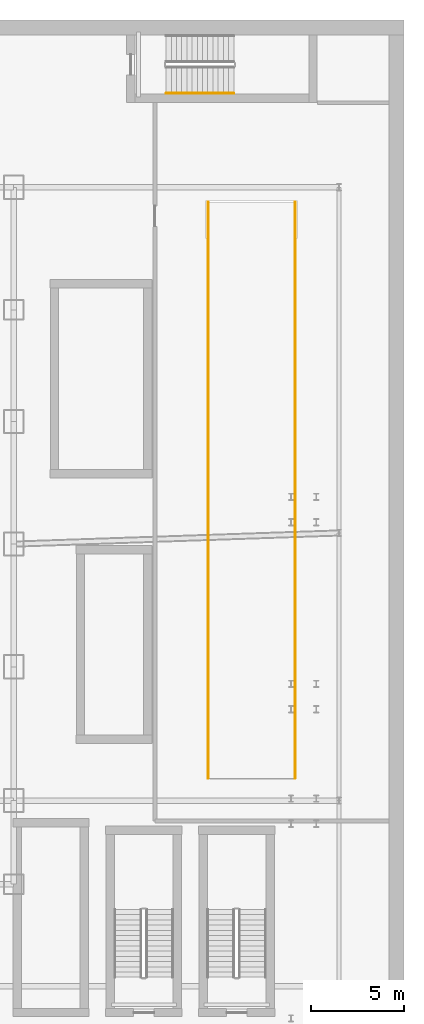
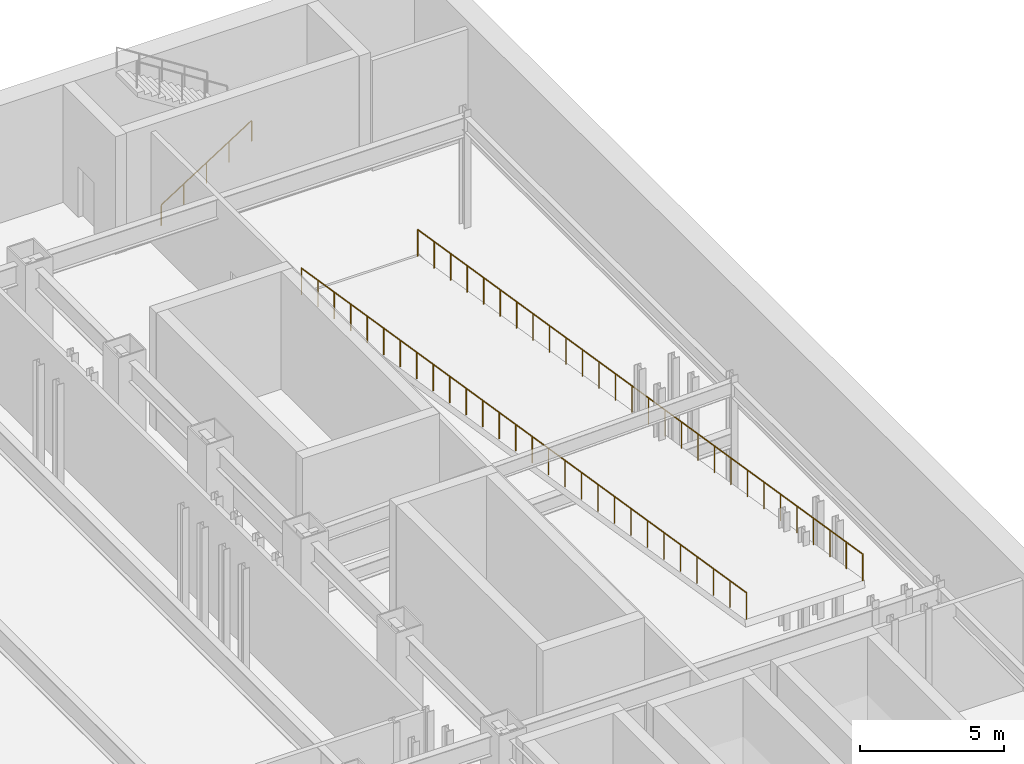
# One storey, part 15 of 16: 3 railings.
"""IFC4 building model written with IfcOpenShell, lengths in metres."""

import ifcopenshell
import ifcopenshell.guid

model = None  # the IFC model being written
_history = None  # IfcOwnerHistory: only IFC2X3 demands one
_inside = {}  # id of a spatial element -> (the spatial element, [elements in it])
_under = {}  # id of a project, library or spatial element -> (it, [spatial elements below it])
_declared = {}  # id of a project -> (the project, [libraries it declares])
_typed = {}  # id of a type object -> (the type object, [elements of that type])
_made_of = {}  # id of a material, layer set ... -> (it, [elements and type objects made of it])


def new_model(schema):
    """Start an empty IFC model of exactly this schema.

    Asked for "IFC4X3", IfcOpenShell would pick the latest addendum, in which some entities
    have other attributes; the version numbers below select the first issue.
    IFC2X3 requires an IfcOwnerHistory on every rooted entity: one is made here for all.
    """
    global model, _history
    if schema == "IFC4X3":
        model = ifcopenshell.file(schema_version=(4, 3, 0, 0))
    else:
        model = ifcopenshell.file(schema=schema)
    _inside.clear()
    _under.clear()
    _declared.clear()
    _typed.clear()
    _made_of.clear()
    _history = None
    if model.schema == "IFC2X3":
        org = make("IfcOrganization", Name="unknown")
        user = make(
            "IfcPersonAndOrganization",
            ThePerson=make("IfcPerson", FamilyName="unknown"),
            TheOrganization=org,
        )
        app = make(
            "IfcApplication",
            ApplicationDeveloper=org,
            Version="unknown",
            ApplicationFullName="unknown",
            ApplicationIdentifier="unknown",
        )
        _history = make(
            "IfcOwnerHistory",
            OwningUser=user,
            OwningApplication=app,
            ChangeAction="ADDED",
            CreationDate=0,
        )
    return model


def make(cls, **values):
    """One entity of the class cls with the attributes given. An attribute that is None is left unset."""
    return model.create_entity(
        cls, **{name: value for name, value in values.items() if value is not None}
    )


def rooted(cls, **values):
    """An entity with a GlobalId (a new one), such as an element, a storey or a relation."""
    return make(cls, GlobalId=ifcopenshell.guid.new(), OwnerHistory=_history, **values)


def si_unit(unit_type, name, prefix=None):
    """IfcSIUnit, for example si_unit("LENGTHUNIT", "METRE", prefix="MILLI")."""
    return make("IfcSIUnit", UnitType=unit_type, Prefix=prefix, Name=name)


def derived_unit(unit_type, elements):
    """IfcDerivedUnit: a product of units, each with its exponent."""
    return make(
        "IfcDerivedUnit",
        Elements=[
            make("IfcDerivedUnitElement", Unit=unit, Exponent=power)
            for unit, power in elements
        ],
        UnitType=unit_type,
    )


def assignment(units):
    """IfcUnitAssignment: the units of a project."""
    return None if units is None else make("IfcUnitAssignment", Units=units)


def point(xyz):
    """IfcCartesianPoint."""
    return None if xyz is None else make("IfcCartesianPoint", Coordinates=xyz)


def direction(xyz):
    """IfcDirection."""
    return None if xyz is None else make("IfcDirection", DirectionRatios=xyz)


def frame(location, z_axis=None, x_axis=None):
    """IfcAxis2Placement3D, a coordinate frame: its origin and axes. An axis left out is left unset."""
    return make(
        "IfcAxis2Placement3D",
        Location=point(location),
        Axis=direction(z_axis),
        RefDirection=direction(x_axis),
    )


def frame_2d(location, x_axis=None):
    """IfcAxis2Placement2D, a coordinate frame in the plane: its origin and x axis."""
    return make(
        "IfcAxis2Placement2D", Location=point(location), RefDirection=direction(x_axis)
    )


def origin():
    """The frame at (0, 0, 0) with its axes left unset."""
    return frame((0.0, 0.0, 0.0))


def origin_2d():
    """The frame at (0, 0) in the plane with its x axis left unset."""
    return frame_2d((0.0, 0.0))


def place(relative_to, where):
    """IfcLocalPlacement: puts the frame where relative to a parent placement (None: the world)."""
    return make(
        "IfcLocalPlacement", PlacementRelTo=relative_to, RelativePlacement=where
    )


def context(
    kind, dimensions, precision=None, world=None, true_north=None, identifier=None
):
    """IfcGeometricRepresentationContext, for example the 3D "Model" context."""
    return make(
        "IfcGeometricRepresentationContext",
        ContextIdentifier=identifier,
        ContextType=kind,
        CoordinateSpaceDimension=dimensions,
        Precision=precision,
        WorldCoordinateSystem=world,
        TrueNorth=true_north,
    )


def subcontext(parent, identifier, kind, view, scale=None):
    """IfcGeometricRepresentationSubContext, for example "Body" below "Model"."""
    return make(
        "IfcGeometricRepresentationSubContext",
        ContextIdentifier=identifier,
        ContextType=kind,
        ParentContext=parent,
        TargetScale=scale,
        TargetView=view,
    )


def project(units=None, contexts=None):
    """IfcProject with its units and contexts."""
    return rooted(
        "IfcProject",
        Name="project",
        RepresentationContexts=contexts,
        UnitsInContext=assignment(units),
    )


def spatial(cls, under=None, at=None, **own):
    """A site, building, storey or space (cls), placed at a placement, below another one or the project."""
    s = rooted(cls, ObjectPlacement=at, **own)
    if under is not None:
        _under.setdefault(under.id(), (under, []))[1].append(s)
    return s


def profile(cls, at=None, kind="AREA", **sizes):
    """A parametric profile (cls). Its sizes go by their IFC names, for example OverallWidth=200.0."""
    return make(cls, ProfileType=kind, Position=at, **sizes)


def circle(**sizes):
    """IfcCircleProfileDef."""
    return profile("IfcCircleProfileDef", **sizes)


def extrude(swept, where, along, depth):
    """IfcExtrudedAreaSolid: the profile swept, set in the frame where, extruded along a direction by depth."""
    return make(
        "IfcExtrudedAreaSolid",
        SweptArea=swept,
        Position=where,
        ExtrudedDirection=direction(along),
        Depth=depth,
    )


def shape(context_of_items, identifier, shape_type, items):
    """IfcShapeRepresentation: the items that make up one representation, for example the "Body"."""
    return make(
        "IfcShapeRepresentation",
        ContextOfItems=context_of_items,
        RepresentationIdentifier=identifier,
        RepresentationType=shape_type,
        Items=items,
    )


def material(Name=None, Category=None):
    """IfcMaterial."""
    return make("IfcMaterial", Name=Name, Category=Category)


def made_of(thing, what):
    """Note that an element or type object is made of a material, layer set ...; save() writes the relation."""
    if what is not None:
        _made_of.setdefault(what.id(), (what, []))[1].append(thing)
    return thing


def type_object(cls, material=None, **own):
    """A type object (cls), such as IfcWallType, which elements share."""
    return made_of(rooted(cls, **own), material)


def element(
    cls,
    number,
    at=None,
    inside=None,
    cuts=None,
    type_object=None,
    material=None,
    context=None,
    identifier="Body",
    shape_type=None,
    held_by="IfcProductDefinitionShape",
    body=None,
    shapes=None,
    **own,
):
    """One element of the class cls, such as IfcWall. Its Tag is "e" and its number.

    at: its placement. inside: the storey or other place that contains it. cuts: it is an
    opening in that element (IfcRelVoidsElement). A single representation is given by context,
    identifier, shape_type and body (its items); several are given by shapes. held_by: the class
    of the entity that holds the representations. save() writes the other relations.
    """
    e = rooted(cls, Tag="e%d" % number, ObjectPlacement=at, **own)
    if body is not None:
        shapes = [shape(context, identifier, shape_type, body)]
    if shapes is not None:
        e.Representation = make(held_by, Representations=shapes)
    if inside is not None:
        _inside.setdefault(inside.id(), (inside, []))[1].append(e)
    if cuts is not None:
        rooted(
            "IfcRelVoidsElement", RelatingBuildingElement=cuts, RelatedOpeningElement=e
        )
    if type_object is not None:
        _typed.setdefault(type_object.id(), (type_object, []))[1].append(e)
    return made_of(e, material)


def aggregate(whole, parts):
    """IfcRelAggregates: a whole, such as a stair, and the parts it consists of."""
    return rooted("IfcRelAggregates", RelatingObject=whole, RelatedObjects=parts)


def save(model, path):
    """Write the relations noted so far, then the file.

    IfcRelAggregates (storeys below a building ...), IfcRelContainedInSpatialStructure (elements
    in a storey), IfcRelDefinesByType, IfcRelAssociatesMaterial and IfcRelDeclares: one each for
    every whole, place, type object, material and project.
    """
    for whole, parts in _under.values():
        aggregate(whole, parts)
    for where, things in _inside.values():
        rooted(
            "IfcRelContainedInSpatialStructure",
            RelatedElements=things,
            RelatingStructure=where,
        )
    for kind, things in _typed.values():
        rooted("IfcRelDefinesByType", RelatedObjects=things, RelatingType=kind)
    for what, things in _made_of.values():
        rooted("IfcRelAssociatesMaterial", RelatedObjects=things, RelatingMaterial=what)
    for by, libraries in _declared.values():
        rooted("IfcRelDeclares", RelatingContext=by, RelatedDefinitions=libraries)
    model.write(path)


model = new_model("IFC4")

# Units and contexts
model_context = context("Model", 3, precision=1e-05, world=origin(), true_north=direction((0.0, 1.0)))
body_context = subcontext(model_context, "Body", "Model", "MODEL_VIEW")
ifc_project = project(units=[si_unit("LENGTHUNIT", "METRE"), si_unit("AREAUNIT", "SQUARE_METRE"), si_unit("VOLUMEUNIT", "CUBIC_METRE"), si_unit("PLANEANGLEUNIT", "RADIAN"), si_unit("MASSUNIT", "GRAM", prefix="KILO"), derived_unit("THERMALTRANSMITTANCEUNIT", [(si_unit("POWERUNIT", "WATT"), 1), (si_unit("LENGTHUNIT", "METRE"), -2), (si_unit("THERMODYNAMICTEMPERATUREUNIT", "KELVIN"), -1)])], contexts=[model_context])

# Site, building, storey
site_placement = place(None, origin())
site = spatial("IfcSite", under=ifc_project, at=site_placement, CompositionType="ELEMENT")
building_placement = place(site_placement, origin())
building = spatial("IfcBuilding", under=site, at=building_placement, Name="Skarnbrae Concourse Arena and Tower", CompositionType="ELEMENT")
storey_placement = place(building_placement, frame((0.0, 0.0, -5.0)))
storey = spatial("IfcBuildingStorey", under=building, at=storey_placement, Name="B01", CompositionType="ELEMENT", Elevation=-5.0)

# Railings
ifc_material = material(Name="Steel CSA G40.21 350W", Category="steel")
railing_type_1 = type_object("IfcRailingType", Name="RAIL-GUARD-1150", PredefinedType="GUARDRAIL", material=ifc_material)
railing_1_placement = place(storey_placement, frame((71.4599609375, 46.199951171875, 0.0)))
element("IfcRailing", 1, at=railing_1_placement, inside=storey, type_object=railing_type_1, Name="B01 Vehicle ramp sloped side guardrail W", PredefinedType="GUARDRAIL", context=body_context, shape_type="SweptSolid", body=[
    extrude(circle(Radius=0.02392578125, at=origin_2d()), frame((0.0, 0.0, 1.1259765625), z_axis=(0.0, -0.987241120713, 0.159232438825), x_axis=(1.0, 0.0, 0.0)), (0.0, 0.0, 1.0), 31.400634765625),
    extrude(circle(Radius=0.02099609375, at=origin_2d()), origin(), (0.0, 0.0, 1.0), 1.101806640625),
    extrude(circle(Radius=0.02099609375, at=origin_2d()), frame((0.0, -1.148193359375, 0.185302734375)), (0.0, 0.0, 1.0), 1.101806640625),
    extrude(circle(Radius=0.02099609375, at=origin_2d()), frame((0.0, -2.29638671875, 0.370361328125)), (0.0, 0.0, 1.0), 1.101806640625),
    extrude(circle(Radius=0.02099609375, at=origin_2d()), frame((0.0, -3.4443359375, 0.5556640625)), (0.0, 0.0, 1.0), 1.101806640625),
    extrude(circle(Radius=0.02099609375, at=origin_2d()), frame((0.0, -4.592529296875, 0.74072265625)), (0.0, 0.0, 1.0), 1.101806640625),
    extrude(circle(Radius=0.02099609375, at=origin_2d()), frame((0.0, -5.74072265625, 0.926025390625)), (0.0, 0.0, 1.0), 1.101806640625),
    extrude(circle(Radius=0.02099609375, at=origin_2d()), frame((0.0, -6.888916015625, 1.111083984375)), (0.0, 0.0, 1.0), 1.101806640625),
    extrude(circle(Radius=0.02099609375, at=origin_2d()), frame((0.0, -8.037109375, 1.29638671875)), (0.0, 0.0, 1.0), 1.101806640625),
    extrude(circle(Radius=0.02099609375, at=origin_2d()), frame((0.0, -9.185302734375, 1.4814453125)), (0.0, 0.0, 1.0), 1.101806640625),
    extrude(circle(Radius=0.02099609375, at=origin_2d()), frame((0.0, -10.333251953125, 1.666748046875)), (0.0, 0.0, 1.0), 1.101806640625),
    extrude(circle(Radius=0.02099609375, at=origin_2d()), frame((0.0, -11.4814453125, 1.851806640625)), (0.0, 0.0, 1.0), 1.101806640625),
    extrude(circle(Radius=0.02099609375, at=origin_2d()), frame((0.0, -12.629638671875, 2.037109375)), (0.0, 0.0, 1.0), 1.101806640625),
    extrude(circle(Radius=0.02099609375, at=origin_2d()), frame((0.0, -13.77783203125, 2.22216796875)), (0.0, 0.0, 1.0), 1.101806640625),
    extrude(circle(Radius=0.02099609375, at=origin_2d()), frame((0.0, -14.926025390625, 2.407470703125)), (0.0, 0.0, 1.0), 1.101806640625),
    extrude(circle(Radius=0.02099609375, at=origin_2d()), frame((0.0, -16.073974609375, 2.592529296875)), (0.0, 0.0, 1.0), 1.101806640625),
    extrude(circle(Radius=0.02099609375, at=origin_2d()), frame((0.0, -17.22216796875, 2.77783203125)), (0.0, 0.0, 1.0), 1.101806640625),
    extrude(circle(Radius=0.02099609375, at=origin_2d()), frame((0.0, -18.370361328125, 2.962890625)), (0.0, 0.0, 1.0), 1.101806640625),
    extrude(circle(Radius=0.02099609375, at=origin_2d()), frame((0.0, -19.5185546875, 3.148193359375)), (0.0, 0.0, 1.0), 1.101806640625),
    extrude(circle(Radius=0.02099609375, at=origin_2d()), frame((0.0, -20.666748046875, 3.333251953125)), (0.0, 0.0, 1.0), 1.101806640625),
    extrude(circle(Radius=0.02099609375, at=origin_2d()), frame((0.0, -21.814697265625, 3.5185546875)), (0.0, 0.0, 1.0), 1.101806640625),
    extrude(circle(Radius=0.02099609375, at=origin_2d()), frame((0.0, -22.962890625, 3.70361328125)), (0.0, 0.0, 1.0), 1.101806640625),
    extrude(circle(Radius=0.02099609375, at=origin_2d()), frame((0.0, -24.111083984375, 3.888916015625)), (0.0, 0.0, 1.0), 1.101806640625),
    extrude(circle(Radius=0.02099609375, at=origin_2d()), frame((0.0, -25.25927734375, 4.073974609375)), (0.0, 0.0, 1.0), 1.101806640625),
    extrude(circle(Radius=0.02099609375, at=origin_2d()), frame((0.0, -26.407470703125, 4.25927734375)), (0.0, 0.0, 1.0), 1.101806640625),
    extrude(circle(Radius=0.02099609375, at=origin_2d()), frame((0.0, -27.5556640625, 4.4443359375)), (0.0, 0.0, 1.0), 1.101806640625),
    extrude(circle(Radius=0.02099609375, at=origin_2d()), frame((0.0, -28.70361328125, 4.629638671875)), (0.0, 0.0, 1.0), 1.101806640625),
    extrude(circle(Radius=0.02099609375, at=origin_2d()), frame((0.0, -29.851806640625, 4.814697265625)), (0.0, 0.0, 1.0), 1.101806640625),
    extrude(circle(Radius=0.02099609375, at=origin_2d()), frame((0.0, -31.0, 5.0)), (0.0, 0.0, 1.0), 1.101806640625),
])
railing_2_placement = place(storey_placement, frame((76.139892578125, 46.199951171875, 0.0)))
element("IfcRailing", 2, at=railing_2_placement, inside=storey, type_object=railing_type_1, Name="B01 Vehicle ramp sloped side guardrail E", PredefinedType="GUARDRAIL", context=body_context, shape_type="SweptSolid", body=[
    extrude(circle(Radius=0.02392578125, at=origin_2d()), frame((0.0, 0.0, 1.1259765625), z_axis=(0.0, -0.987241120713, 0.159232438825), x_axis=(1.0, 0.0, 0.0)), (0.0, 0.0, 1.0), 31.400634765625),
    extrude(circle(Radius=0.02099609375, at=origin_2d()), origin(), (0.0, 0.0, 1.0), 1.101806640625),
    extrude(circle(Radius=0.02099609375, at=origin_2d()), frame((0.0, -1.148193359375, 0.185302734375)), (0.0, 0.0, 1.0), 1.101806640625),
    extrude(circle(Radius=0.02099609375, at=origin_2d()), frame((0.0, -2.29638671875, 0.370361328125)), (0.0, 0.0, 1.0), 1.101806640625),
    extrude(circle(Radius=0.02099609375, at=origin_2d()), frame((0.0, -3.4443359375, 0.5556640625)), (0.0, 0.0, 1.0), 1.101806640625),
    extrude(circle(Radius=0.02099609375, at=origin_2d()), frame((0.0, -4.592529296875, 0.74072265625)), (0.0, 0.0, 1.0), 1.101806640625),
    extrude(circle(Radius=0.02099609375, at=origin_2d()), frame((0.0, -5.74072265625, 0.926025390625)), (0.0, 0.0, 1.0), 1.101806640625),
    extrude(circle(Radius=0.02099609375, at=origin_2d()), frame((0.0, -6.888916015625, 1.111083984375)), (0.0, 0.0, 1.0), 1.101806640625),
    extrude(circle(Radius=0.02099609375, at=origin_2d()), frame((0.0, -8.037109375, 1.29638671875)), (0.0, 0.0, 1.0), 1.101806640625),
    extrude(circle(Radius=0.02099609375, at=origin_2d()), frame((0.0, -9.185302734375, 1.4814453125)), (0.0, 0.0, 1.0), 1.101806640625),
    extrude(circle(Radius=0.02099609375, at=origin_2d()), frame((0.0, -10.333251953125, 1.666748046875)), (0.0, 0.0, 1.0), 1.101806640625),
    extrude(circle(Radius=0.02099609375, at=origin_2d()), frame((0.0, -11.4814453125, 1.851806640625)), (0.0, 0.0, 1.0), 1.101806640625),
    extrude(circle(Radius=0.02099609375, at=origin_2d()), frame((0.0, -12.629638671875, 2.037109375)), (0.0, 0.0, 1.0), 1.101806640625),
    extrude(circle(Radius=0.02099609375, at=origin_2d()), frame((0.0, -13.77783203125, 2.22216796875)), (0.0, 0.0, 1.0), 1.101806640625),
    extrude(circle(Radius=0.02099609375, at=origin_2d()), frame((0.0, -14.926025390625, 2.407470703125)), (0.0, 0.0, 1.0), 1.101806640625),
    extrude(circle(Radius=0.02099609375, at=origin_2d()), frame((0.0, -16.073974609375, 2.592529296875)), (0.0, 0.0, 1.0), 1.101806640625),
    extrude(circle(Radius=0.02099609375, at=origin_2d()), frame((0.0, -17.22216796875, 2.77783203125)), (0.0, 0.0, 1.0), 1.101806640625),
    extrude(circle(Radius=0.02099609375, at=origin_2d()), frame((0.0, -18.370361328125, 2.962890625)), (0.0, 0.0, 1.0), 1.101806640625),
    extrude(circle(Radius=0.02099609375, at=origin_2d()), frame((0.0, -19.5185546875, 3.148193359375)), (0.0, 0.0, 1.0), 1.101806640625),
    extrude(circle(Radius=0.02099609375, at=origin_2d()), frame((0.0, -20.666748046875, 3.333251953125)), (0.0, 0.0, 1.0), 1.101806640625),
    extrude(circle(Radius=0.02099609375, at=origin_2d()), frame((0.0, -21.814697265625, 3.5185546875)), (0.0, 0.0, 1.0), 1.101806640625),
    extrude(circle(Radius=0.02099609375, at=origin_2d()), frame((0.0, -22.962890625, 3.70361328125)), (0.0, 0.0, 1.0), 1.101806640625),
    extrude(circle(Radius=0.02099609375, at=origin_2d()), frame((0.0, -24.111083984375, 3.888916015625)), (0.0, 0.0, 1.0), 1.101806640625),
    extrude(circle(Radius=0.02099609375, at=origin_2d()), frame((0.0, -25.25927734375, 4.073974609375)), (0.0, 0.0, 1.0), 1.101806640625),
    extrude(circle(Radius=0.02099609375, at=origin_2d()), frame((0.0, -26.407470703125, 4.25927734375)), (0.0, 0.0, 1.0), 1.101806640625),
    extrude(circle(Radius=0.02099609375, at=origin_2d()), frame((0.0, -27.5556640625, 4.4443359375)), (0.0, 0.0, 1.0), 1.101806640625),
    extrude(circle(Radius=0.02099609375, at=origin_2d()), frame((0.0, -28.70361328125, 4.629638671875)), (0.0, 0.0, 1.0), 1.101806640625),
    extrude(circle(Radius=0.02099609375, at=origin_2d()), frame((0.0, -29.851806640625, 4.814697265625)), (0.0, 0.0, 1.0), 1.101806640625),
    extrude(circle(Radius=0.02099609375, at=origin_2d()), frame((0.0, -31.0, 5.0)), (0.0, 0.0, 1.0), 1.101806640625),
])
railing_type_2 = type_object("IfcRailingType", Name="RAIL-HANDRAIL-900", PredefinedType="HANDRAIL", material=ifc_material)
railing_3_placement = place(storey_placement, frame((69.199951171875, 52.050048828125, 0.178466796875)))
element("IfcRailing", 3, at=railing_3_placement, inside=storey, type_object=railing_type_2, Name="B01 ST-B4 stair handrail 1", PredefinedType="HANDRAIL", context=body_context, shape_type="SweptSolid", body=[
    extrude(circle(Radius=0.02392578125, at=origin_2d()), frame((0.0, 0.0, 0.8759765625), z_axis=(0.843127859045, 0.0, 0.537713132908), x_axis=(0.0, 1.0, 0.0)), (0.0, 0.0, 1.0), 4.3173828125),
    extrude(circle(Radius=0.02099609375, at=origin_2d()), origin(), (0.0, 0.0, 1.0), 0.851806640625),
    extrude(circle(Radius=0.02099609375, at=origin_2d()), frame((0.91015625, 0.0, 0.580322265625)), (0.0, 0.0, 1.0), 0.851806640625),
    extrude(circle(Radius=0.02099609375, at=origin_2d()), frame((1.820068359375, 0.0, 1.16064453125)), (0.0, 0.0, 1.0), 0.851806640625),
    extrude(circle(Radius=0.02099609375, at=origin_2d()), frame((2.72998046875, 0.0, 1.7412109375)), (0.0, 0.0, 1.0), 0.851806640625),
    extrude(circle(Radius=0.02099609375, at=origin_2d()), frame((3.64013671875, 0.0, 2.321533203125)), (0.0, 0.0, 1.0), 0.851806640625),
])

save(model, "model.ifc")
